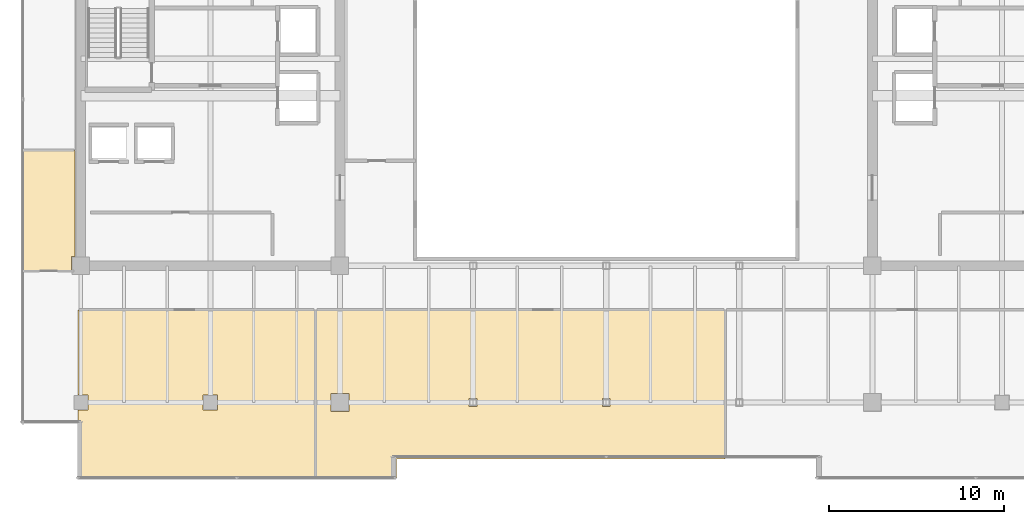
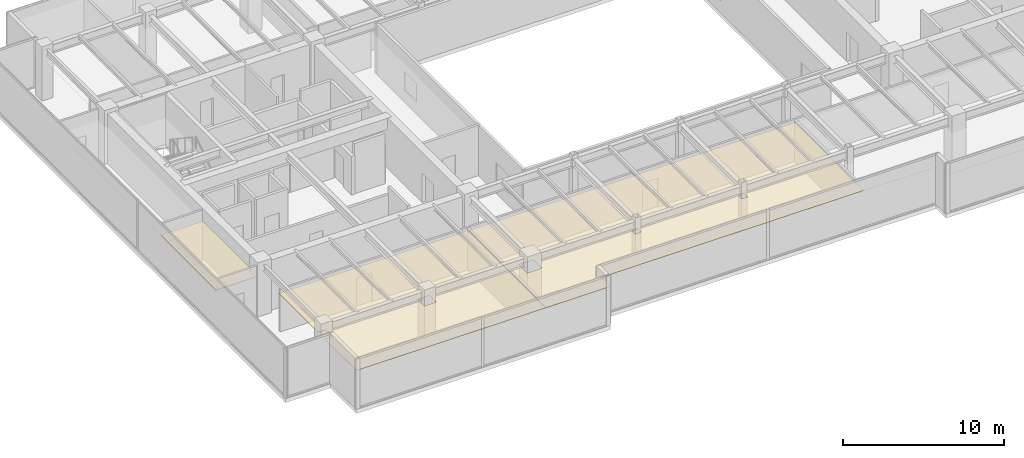
# One storey, part 32 of 35: 3 coverings.
"""IFC4 building model written with IfcOpenShell, lengths in metres."""

from ifc_helpers import new_model, si_unit, direction, frame, origin, place, context, subcontext, project, spatial, polyline, outline, extrude, material, layer, layer_set, type_object, element, save


model = new_model("IFC4")

# Units and contexts
model_context = context("Model", 3, precision=1e-05, world=origin(), true_north=direction((0.0, 1.0)))
body_context = subcontext(model_context, "Body", "Model", "MODEL_VIEW")
ifc_project = project(units=[si_unit("LENGTHUNIT", "METRE"), si_unit("AREAUNIT", "SQUARE_METRE"), si_unit("VOLUMEUNIT", "CUBIC_METRE"), si_unit("PLANEANGLEUNIT", "RADIAN"), si_unit("MASSUNIT", "GRAM", prefix="KILO")], contexts=[model_context])

# Site, building, storey
site_placement = place(None, origin())
site = spatial("IfcSite", under=ifc_project, at=site_placement, CompositionType="ELEMENT")
building_placement = place(site_placement, origin())
building = spatial("IfcBuilding", under=site, at=building_placement, Name="Haelvirn Gate Laboratories", CompositionType="ELEMENT")
storey_placement = place(building_placement, frame((0.0, 0.0, 234.199951171875)))
storey = spatial("IfcBuildingStorey", under=building, at=storey_placement, Name="L56", CompositionType="ELEMENT", Elevation=234.199951171875)

# Coverings
ifc_material = material(Name="Micro-perforated acoustic mineral-fibre laboratory ceiling")
ifc_layer = layer(ifc_material, 0.0400390625, Name="COV-CEIL-ACT")
ifc_layer_set = layer_set([ifc_layer], Name="Micro-perforated acoustic mineral-fibre laboratory ceiling")
covering_type = type_object("IfcCoveringType", Name="COV-CEIL-ACT", PredefinedType="CEILING", material=ifc_layer_set)
covering_1_placement = place(storey_placement, frame((0.0, 0.0, 2.880126953125)))
element("IfcCovering", 1, at=covering_1_placement, inside=storey, type_object=covering_type, Name="L56 Laboratory Acoustic Ceiling CEIL-SP-L56-S-01", PredefinedType="CEILING", context=body_context, shape_type="SweptSolid", body=[
    extrude(outline(polyline([(7.25, 6.580078125), (7.820068359375, 6.580078125), (7.820068359375, 7.419921875), (7.25, 7.419921875), (7.25, 12.280029296875), (20.780029296875, 12.280029296875), (20.780029296875, 2.64990234375), (7.25, 2.64990234375), (7.25, 6.580078125)]), holes=[polyline([(14.3798828125, 7.419921875), (14.3798828125, 6.580078125), (15.219970703125, 6.580078125), (15.219970703125, 7.419921875), (14.3798828125, 7.419921875)])]), origin(), (0.0, 0.0, 1.0), 0.0400390625),
])
covering_2_placement = place(storey_placement, frame((0.0, 0.0, 2.880126953125)))
element("IfcCovering", 2, at=covering_2_placement, inside=storey, type_object=covering_type, Name="L56 Laboratory Acoustic Ceiling CEIL-SP-L56-S-02", PredefinedType="CEILING", context=body_context, shape_type="SweptSolid", body=[
    extrude(outline(polyline([(20.820068359375, 12.280029296875), (44.179931640625, 12.280029296875), (44.179931640625, 3.780029296875), (25.419921875, 3.780029296875), (25.419921875, 2.64990234375), (20.820068359375, 2.64990234375), (20.820068359375, 12.280029296875)]), holes=[polyline([(21.679931640625, 6.47998046875), (22.719970703125, 6.47998046875), (22.719970703125, 7.52001953125), (21.679931640625, 7.52001953125), (21.679931640625, 6.47998046875)]), polyline([(29.580078125, 7.219970703125), (29.580078125, 6.780029296875), (30.02001953125, 6.780029296875), (30.02001953125, 7.219970703125), (29.580078125, 7.219970703125)]), polyline([(37.6201171875, 7.219970703125), (37.179931640625, 7.219970703125), (37.179931640625, 6.780029296875), (37.6201171875, 6.780029296875), (37.6201171875, 7.219970703125)])]), origin(), (0.0, 0.0, 1.0), 0.0400390625),
])
covering_3_placement = place(storey_placement, frame((0.0, 0.0, 2.880126953125)))
element("IfcCovering", 3, at=covering_3_placement, inside=storey, type_object=covering_type, Name="L56 Laboratory Acoustic Ceiling CEIL-SP-L56-WZ3-S", PredefinedType="CEILING", context=body_context, shape_type="SweptSolid", body=[
    extrude(outline(polyline([(7.080078125, 21.389892578125), (7.080078125, 15.320068359375), (6.8798828125, 15.320068359375), (6.8798828125, 14.52490234375), (4.050048828125, 14.52490234375), (4.050048828125, 21.389892578125), (7.080078125, 21.389892578125)])), origin(), (0.0, 0.0, 1.0), 0.0400390625),
])

save(model, "model.ifc")
